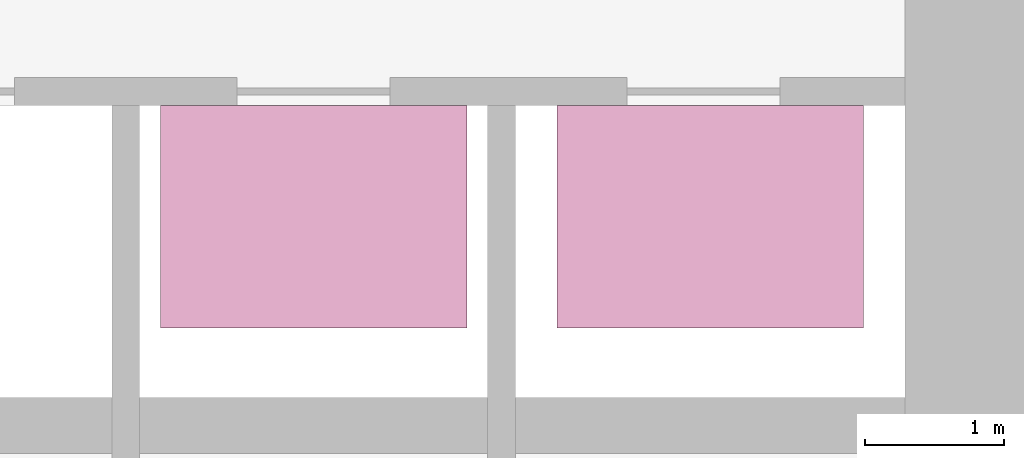
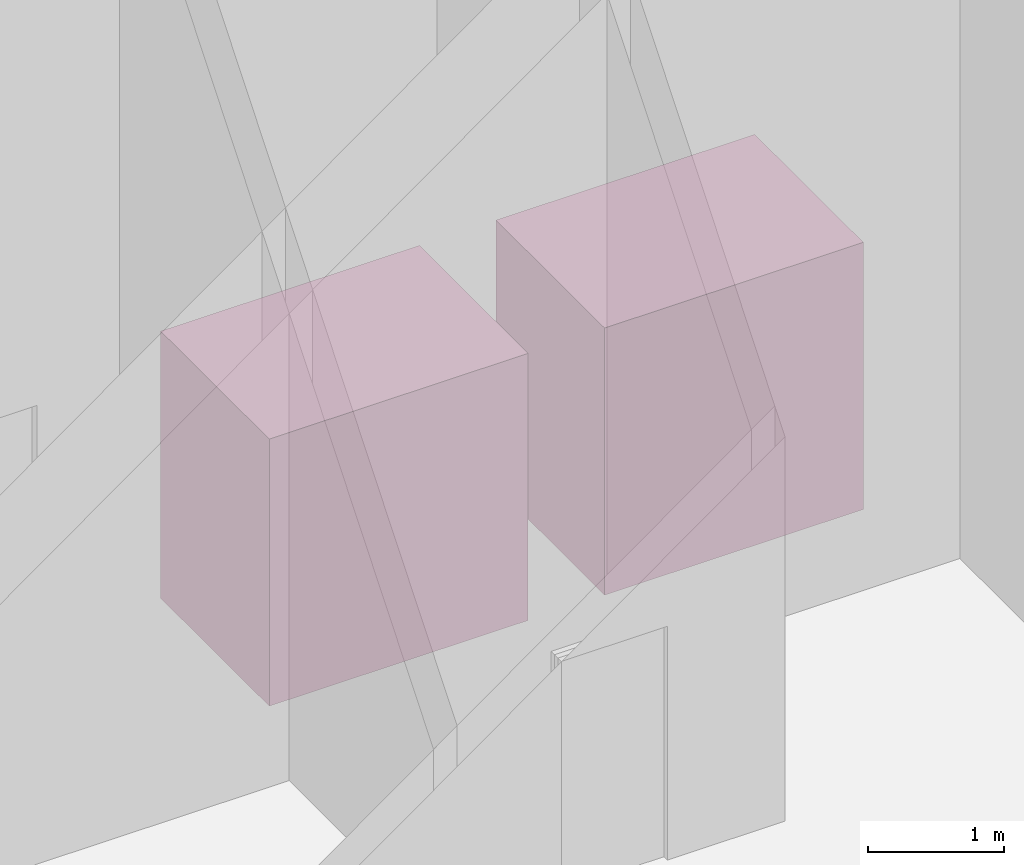
# One storey, part 27 of 27: 2 transport elements.
"""IFC4 building model written with IfcOpenShell, lengths in metres."""

from ifc_helpers import new_model, si_unit, direction, frame, origin, origin_2d, place, context, subcontext, project, spatial, rectangle, extrude, material, type_object, element, save


model = new_model("IFC4")

# Units and contexts
model_context = context("Model", 3, precision=1e-05, world=origin(), true_north=direction((0.0, 1.0)))
body_context = subcontext(model_context, "Body", "Model", "MODEL_VIEW")
ifc_project = project(units=[si_unit("LENGTHUNIT", "METRE"), si_unit("AREAUNIT", "SQUARE_METRE"), si_unit("VOLUMEUNIT", "CUBIC_METRE"), si_unit("PLANEANGLEUNIT", "RADIAN"), si_unit("MASSUNIT", "GRAM", prefix="KILO")], contexts=[model_context])

# Site, building, storey
site_placement = place(None, origin())
site = spatial("IfcSite", under=ifc_project, at=site_placement, CompositionType="ELEMENT")
building_placement = place(site_placement, origin())
building = spatial("IfcBuilding", under=site, at=building_placement, Name="Meshkara Civic Tower", CompositionType="ELEMENT")
storey_placement = place(building_placement, origin())
storey = spatial("IfcBuildingStorey", under=building, at=storey_placement, Name="L00", CompositionType="ELEMENT", Elevation=0.0)

# Transport elements
ifc_material = material(Name="Stainless steel car lining", Category="steel")
transport_element_type = type_object("IfcTransportElementType", Name="Lift car 2200x1600", PredefinedType="ELEVATOR", material=ifc_material)
for number, where, z_axis, x_axis, name in (
    (1, (25.35009765625, 24.60009765625, 0.0), (0.0, 0.0, 1.0), (1.0, 0.0, 0.0), "Shuttle lift SH1"),
    (2, (28.199951171875, 24.60009765625, 0.0), (0.0, 0.0, 1.0), (1.0, 0.0, 0.0), "Shuttle lift SH2"),
):
    element("IfcTransportElement", number, at=place(storey_placement, frame(where, z_axis=z_axis, x_axis=x_axis)), inside=storey, type_object=transport_element_type, Name=name, PredefinedType="ELEVATOR", context=body_context, shape_type="SweptSolid", body=[
        extrude(rectangle(XDim=2.199951171875, YDim=1.60009765625, at=origin_2d()), origin(), (0.0, 0.0, 1.0), 2.39990234375),
    ])

save(model, "model.ifc")
